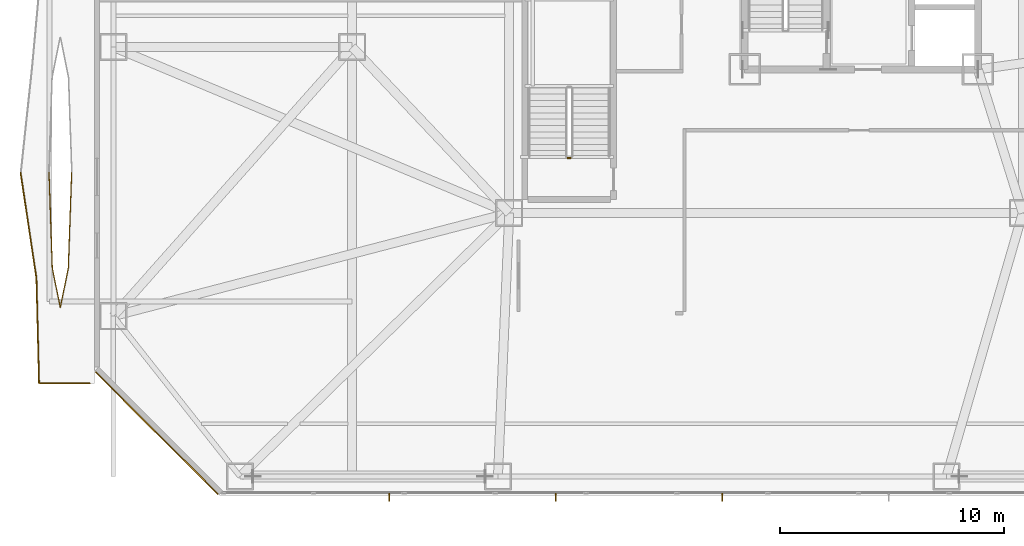
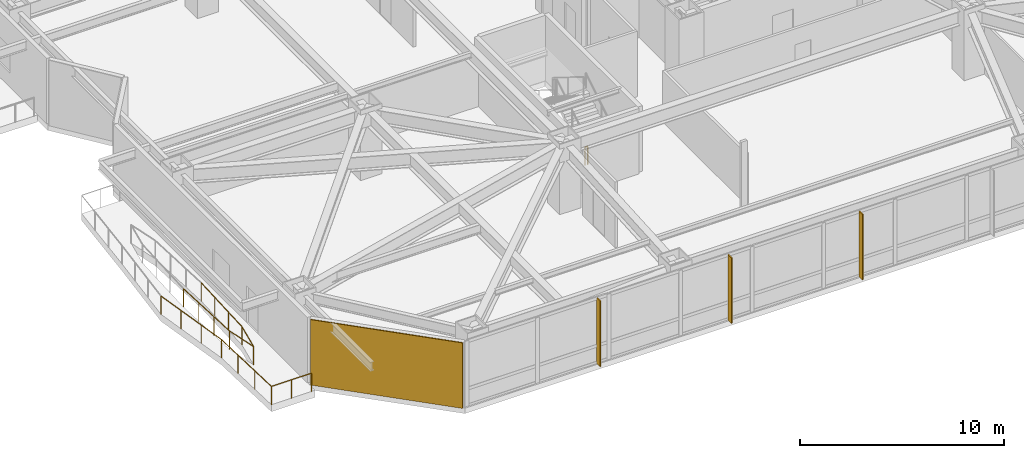
# One storey, part 26 of 32: 3 railings, 3 shading devices, 1 covering.
"""IFC4 building model written with IfcOpenShell, lengths in metres."""

from ifc_helpers import new_model, si_unit, direction, frame, origin, origin_2d, place, context, subcontext, project, spatial, rectangle, circle, extrude, material, layer, layer_set, type_object, element, save


model = new_model("IFC4")

# Units and contexts
model_context = context("Model", 3, precision=1e-05, world=origin(), true_north=direction((0.0, 1.0)))
body_context = subcontext(model_context, "Body", "Model", "MODEL_VIEW")
ifc_project = project(units=[si_unit("LENGTHUNIT", "METRE"), si_unit("AREAUNIT", "SQUARE_METRE"), si_unit("VOLUMEUNIT", "CUBIC_METRE"), si_unit("PLANEANGLEUNIT", "RADIAN"), si_unit("MASSUNIT", "GRAM", prefix="KILO")], contexts=[model_context])

# Site, building, storey
site_placement = place(None, origin())
site = spatial("IfcSite", under=ifc_project, at=site_placement, CompositionType="ELEMENT")
building_placement = place(site_placement, origin())
building = spatial("IfcBuilding", under=site, at=building_placement, Name="Khamvora Tower", CompositionType="ELEMENT")
storey_placement = place(building_placement, frame((0.0, 0.0, 12.0)))
storey = spatial("IfcBuildingStorey", under=building, at=storey_placement, Name="L02", CompositionType="ELEMENT", Elevation=12.0)

# Covering
ifc_material_1 = material(Name="Anodised Bronze Aluminium Spandrel Panel", Category="aluminium")
ifc_layer = layer(ifc_material_1, 0.054931640625)
ifc_layer_set = layer_set([ifc_layer], Name="Anodised Bronze Aluminium Spandrel Panel")
covering_type = type_object("IfcCoveringType", Name="COV-CLD-BRZ", PredefinedType="CLADDING", material=ifc_layer_set)
covering_placement = place(storey_placement, frame((2.787109375, 2.787109375, 0.0), z_axis=(0.0, 0.0, 1.0), x_axis=(-0.707106781187, 0.707106781187, 0.0)))
element("IfcCovering", 1, at=covering_placement, inside=storey, type_object=covering_type, Name="L02 chamfer rainscreen cladding 01.1", PredefinedType="CLADDING", context=body_context, shape_type="SweptSolid", body=[
    extrude(rectangle(XDim=7.720947265625, YDim=0.054931640625, at=origin_2d()), origin(), (0.0, 0.0, 1.0), 3.919921875),
])

# Railings
ifc_material_2 = material(Name="Stainless Steel 316 and Laminated Glass", Category="steel")
railing_type_1 = type_object("IfcRailingType", Name="RAL-GAL-1120", PredefinedType="GUARDRAIL", material=ifc_material_2)
railing_1_placement = place(storey_placement, frame((-0.199951171875, 5.0, 0.0)))
element("IfcRailing", 2, at=railing_1_placement, inside=storey, type_object=railing_type_1, Name="L02 lens gallery south perimeter guardrail WL1", PredefinedType="GUARDRAIL", context=body_context, shape_type="SweptSolid", body=[
    extrude(circle(Radius=0.02392578125, at=origin_2d()), frame((0.0, 0.0, 1.09619140625), z_axis=(-1.0, 0.0, 0.0), x_axis=(0.0, -1.0, 0.0)), (0.0, 0.0, 1.0), 2.262939453125),
    extrude(circle(Radius=0.02392578125, at=origin_2d()), frame((-2.262939453125, 0.0, 1.09619140625), z_axis=(-0.025133608896, 0.999684100956, 0.0), x_axis=(-0.999684100956, -0.025133608896, 0.0)), (0.0, 0.0, 1.0), 4.701416015625),
    extrude(circle(Radius=0.02392578125, at=origin_2d()), frame((-2.381103515625, 4.699951171875, 1.09619140625), z_axis=(-0.148759918885, 0.988873342008, 0.0), x_axis=(-0.988873342008, -0.148759918885, 0.0)), (0.0, 0.0, 1.0), 4.7529296875),
    extrude(circle(Radius=0.02099609375, at=origin_2d()), origin(), (0.0, 0.0, 1.0), 1.072021484375),
    extrude(circle(Radius=0.02099609375, at=origin_2d()), frame((-1.13134765625, 0.0, 0.0)), (0.0, 0.0, 1.0), 1.072021484375),
    extrude(circle(Radius=0.02099609375, at=origin_2d()), frame((-2.262939453125, 0.0, 0.0)), (0.0, 0.0, 1.0), 1.072021484375),
    extrude(circle(Radius=0.02099609375, at=origin_2d()), frame((-2.30224609375, 1.566650390625, 0.0)), (0.0, 0.0, 1.0), 1.072021484375),
    extrude(circle(Radius=0.02099609375, at=origin_2d()), frame((-2.341796875, 3.13330078125, 0.0)), (0.0, 0.0, 1.0), 1.072021484375),
    extrude(circle(Radius=0.02099609375, at=origin_2d()), frame((-2.381103515625, 4.699951171875, 0.0)), (0.0, 0.0, 1.0), 1.072021484375),
    extrude(circle(Radius=0.02099609375, at=origin_2d()), frame((-2.61669921875, 6.2666015625, 0.0)), (0.0, 0.0, 1.0), 1.072021484375),
    extrude(circle(Radius=0.02099609375, at=origin_2d()), frame((-2.8525390625, 7.833251953125, 0.0)), (0.0, 0.0, 1.0), 1.072021484375),
    extrude(circle(Radius=0.02099609375, at=origin_2d()), frame((-3.088134765625, 9.39990234375, 0.0)), (0.0, 0.0, 1.0), 1.072021484375),
])
railing_2_placement = place(storey_placement, frame((-2.01904296875, 14.39990234375, 0.0)))
element("IfcRailing", 3, at=railing_2_placement, inside=storey, type_object=railing_type_1, Name="L02 lens gallery void guardrail WL1B", PredefinedType="GUARDRAIL", context=body_context, shape_type="SweptSolid", body=[
    extrude(circle(Radius=0.02392578125, at=origin_2d()), frame((0.0, 0.0, 1.09619140625), z_axis=(0.034758598303, -0.999395737355, 0.0), x_axis=(0.999395737355, 0.034758598303, 0.0)), (0.0, 0.0, 1.0), 4.256591796875),
    extrude(circle(Radius=0.02392578125, at=origin_2d()), frame((0.14794921875, -4.25390625, 1.09619140625), z_axis=(0.198152924969, -0.98017111686, 0.0), x_axis=(0.98017111686, 0.198152924969, 0.0)), (0.0, 0.0, 1.0), 1.797607421875),
    extrude(circle(Radius=0.02392578125, at=origin_2d()), frame((0.504150390625, -6.015869140625, 1.09619140625), z_axis=(0.198022438185, 0.980197487232, 0.0), x_axis=(-0.980197487232, 0.198022438185, 0.0)), (0.0, 0.0, 1.0), 1.797607421875),
    extrude(circle(Radius=0.02392578125, at=origin_2d()), frame((0.860107421875, -4.25390625, 1.09619140625), z_axis=(0.034758598303, 0.999395737355, 0.0), x_axis=(-0.999395737355, 0.034758598303, 0.0)), (0.0, 0.0, 1.0), 4.256591796875),
    extrude(circle(Radius=0.02099609375, at=origin_2d()), origin(), (0.0, 0.0, 1.0), 1.072021484375),
    extrude(circle(Radius=0.02099609375, at=origin_2d()), frame((0.04931640625, -1.41796875, 0.0)), (0.0, 0.0, 1.0), 1.072021484375),
    extrude(circle(Radius=0.02099609375, at=origin_2d()), frame((0.0986328125, -2.8359375, 0.0)), (0.0, 0.0, 1.0), 1.072021484375),
    extrude(circle(Radius=0.02099609375, at=origin_2d()), frame((0.14794921875, -4.25390625, 0.0)), (0.0, 0.0, 1.0), 1.072021484375),
    extrude(circle(Radius=0.02099609375, at=origin_2d()), frame((0.504150390625, -6.015869140625, 0.0)), (0.0, 0.0, 1.0), 1.072021484375),
    extrude(circle(Radius=0.02099609375, at=origin_2d()), frame((0.860107421875, -4.25390625, 0.0)), (0.0, 0.0, 1.0), 1.072021484375),
    extrude(circle(Radius=0.02099609375, at=origin_2d()), frame((0.909423828125, -2.8359375, 0.0)), (0.0, 0.0, 1.0), 1.072021484375),
    extrude(circle(Radius=0.02099609375, at=origin_2d()), frame((0.958740234375, -1.41796875, 0.0)), (0.0, 0.0, 1.0), 1.072021484375),
    extrude(circle(Radius=0.02099609375, at=origin_2d()), frame((1.008056640625, 0.0, 0.0)), (0.0, 0.0, 1.0), 1.072021484375),
])
ifc_material_3 = material(Name="Stainless Steel 316", Category="steel")
railing_type_2 = type_object("IfcRailingType", Name="RAL-STG-1100", PredefinedType="GUARDRAIL", material=ifc_material_3)
railing_3_placement = place(storey_placement, frame((21.25, 15.050048828125, 0.0)))
element("IfcRailing", 4, at=railing_3_placement, inside=storey, type_object=railing_type_2, Name="L02 ST-03 stair guard 4", PredefinedType="GUARDRAIL", context=body_context, shape_type="SweptSolid", body=[
    extrude(circle(Radius=0.02392578125, at=origin_2d()), frame((0.0, 0.0, 1.076171875), z_axis=(-1.0, 0.0, 0.0), x_axis=(0.0, -1.0, 0.0)), (0.0, 0.0, 1.0), 0.14990234375),
    extrude(circle(Radius=0.02099609375, at=origin_2d()), origin(), (0.0, 0.0, 1.0), 1.052001953125),
    extrude(circle(Radius=0.02099609375, at=origin_2d()), frame((-0.14990234375, 0.0, 0.0)), (0.0, 0.0, 1.0), 1.052001953125),
])

# Shading devices
ifc_material_4 = material(Name="Anodised Bronze Aluminium 6063-T6", Category="aluminium")
shading_device_type = type_object("IfcShadingDeviceType", Name="SHD-FIN-350", PredefinedType="USERDEFINED", material=ifc_material_4)
for number, where, z_axis, x_axis, name in (
    (5, (28.0, -0.077880859375, 0.0), (0.0, 0.0, 1.0), (-1.0, 0.0, 0.0), "L02 anodised bronze solar fin 14.03"),
    (6, (20.574951171875, -0.077880859375, 0.0), (0.0, 0.0, 1.0), (-1.0, 0.0, 0.0), "L02 anodised bronze solar fin 14.04"),
    (7, (13.14990234375, -0.077880859375, 0.0), (0.0, 0.0, 1.0), (-1.0, 0.0, 0.0), "L02 anodised bronze solar fin 14.05"),
):
    element("IfcShadingDevice", number, at=place(storey_placement, frame(where, z_axis=z_axis, x_axis=x_axis)), inside=storey, type_object=shading_device_type, Name=name, ObjectType="FIN", PredefinedType="USERDEFINED", context=body_context, shape_type="SweptSolid", body=[
        extrude(rectangle(XDim=0.054931640625, YDim=0.35009765625, at=origin_2d()), origin(), (0.0, 0.0, 1.0), 3.919921875),
    ])

save(model, "model.ifc")
